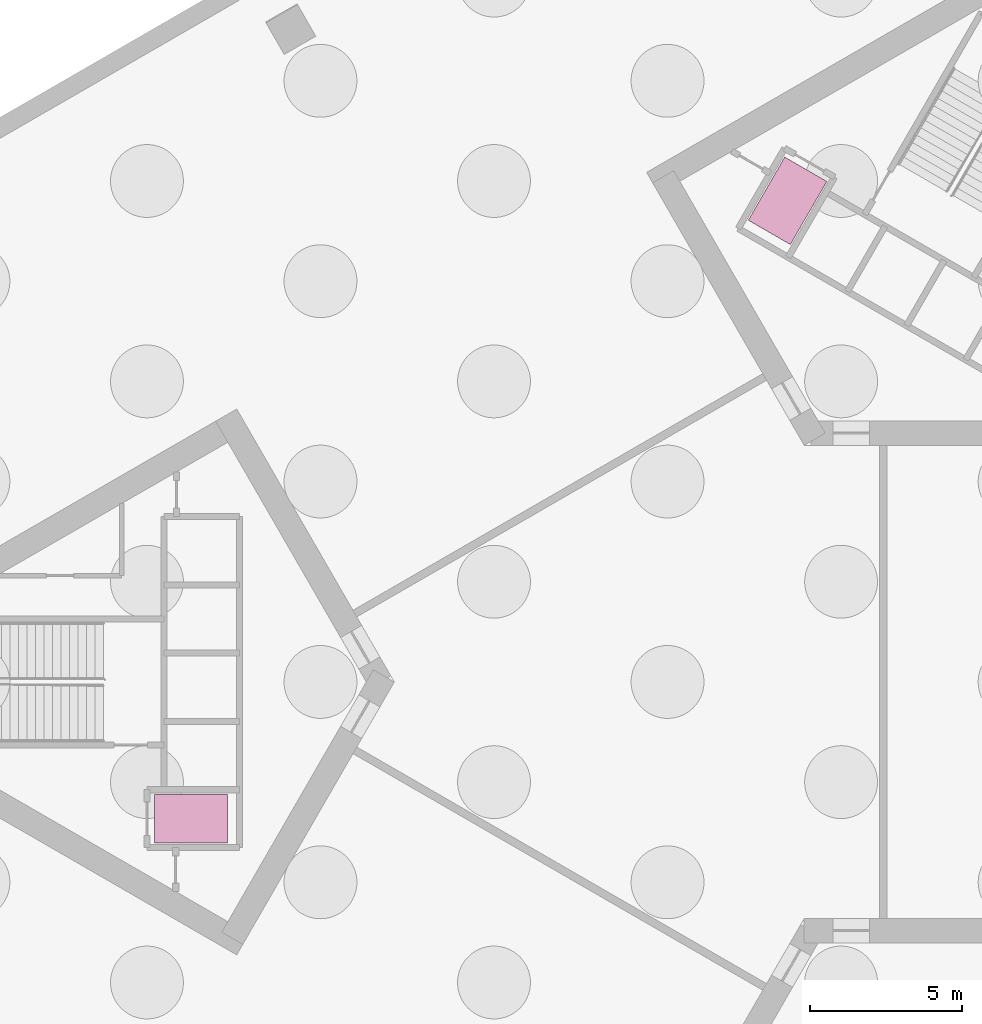
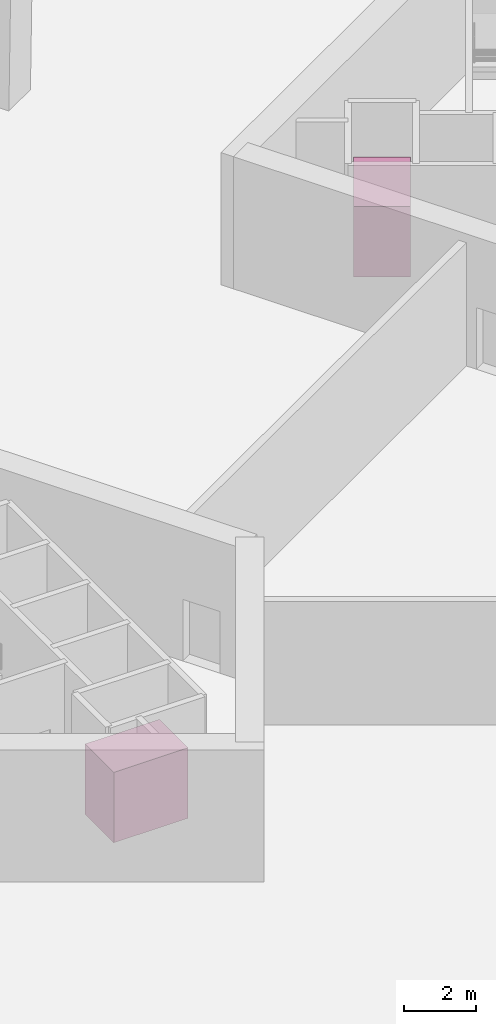
# One storey, part 7 of 7: 2 transport elements.
"""IFC4 building model written with IfcOpenShell, lengths in metres."""

from ifc_helpers import new_model, si_unit, direction, frame, origin, origin_2d, place, context, subcontext, project, spatial, rectangle, extrude, material, type_object, element, save


model = new_model("IFC4")

# Units and contexts
model_context = context("Model", 3, precision=1e-05, world=origin(), true_north=direction((0.0, 1.0)))
body_context = subcontext(model_context, "Body", "Model", "MODEL_VIEW")
ifc_project = project(units=[si_unit("LENGTHUNIT", "METRE"), si_unit("AREAUNIT", "SQUARE_METRE"), si_unit("VOLUMEUNIT", "CUBIC_METRE"), si_unit("PLANEANGLEUNIT", "RADIAN"), si_unit("MASSUNIT", "GRAM", prefix="KILO")], contexts=[model_context])

# Site, building, storey
site_placement = place(None, origin())
site = spatial("IfcSite", under=ifc_project, at=site_placement, CompositionType="ELEMENT")
building_placement = place(site_placement, origin())
building = spatial("IfcBuilding", under=site, at=building_placement, Name="Jabali Bay Hotel Tower and Convention Centre", CompositionType="ELEMENT")
storey_placement = place(building_placement, frame((0.0, 0.0, -9.0)))
storey = spatial("IfcBuildingStorey", under=building, at=storey_placement, Name="B2", CompositionType="ELEMENT", Elevation=-9.0)

# Transport elements
ifc_material = material(Name="Stainless steel lift car", Category="steel")
transport_element_type = type_object("IfcTransportElementType", Name="Fire-fighting lift car 1600 x 2400", PredefinedType="ELEVATOR", material=ifc_material)
for number, where, z_axis, x_axis, name in (
    (1, (59.300048828125, 75.5, 0.050048828125), (0.0, 0.0, 1.0), (-1.0, 0.0, 0.0), "Lift 5 car"),
    (2, (78.952880859375, 95.8466796875, 0.050048828125), (0.0, 0.0, 1.0), (0.5, 0.866025403784, 0.0), "Lift 10 car"),
):
    element("IfcTransportElement", number, at=place(storey_placement, frame(where, z_axis=z_axis, x_axis=x_axis)), inside=storey, type_object=transport_element_type, Name=name, PredefinedType="ELEVATOR", context=body_context, shape_type="SweptSolid", body=[
        extrude(rectangle(XDim=2.39990234375, YDim=1.60009765625, at=origin_2d()), origin(), (0.0, 0.0, 1.0), 2.39990234375),
    ])

save(model, "model.ifc")
